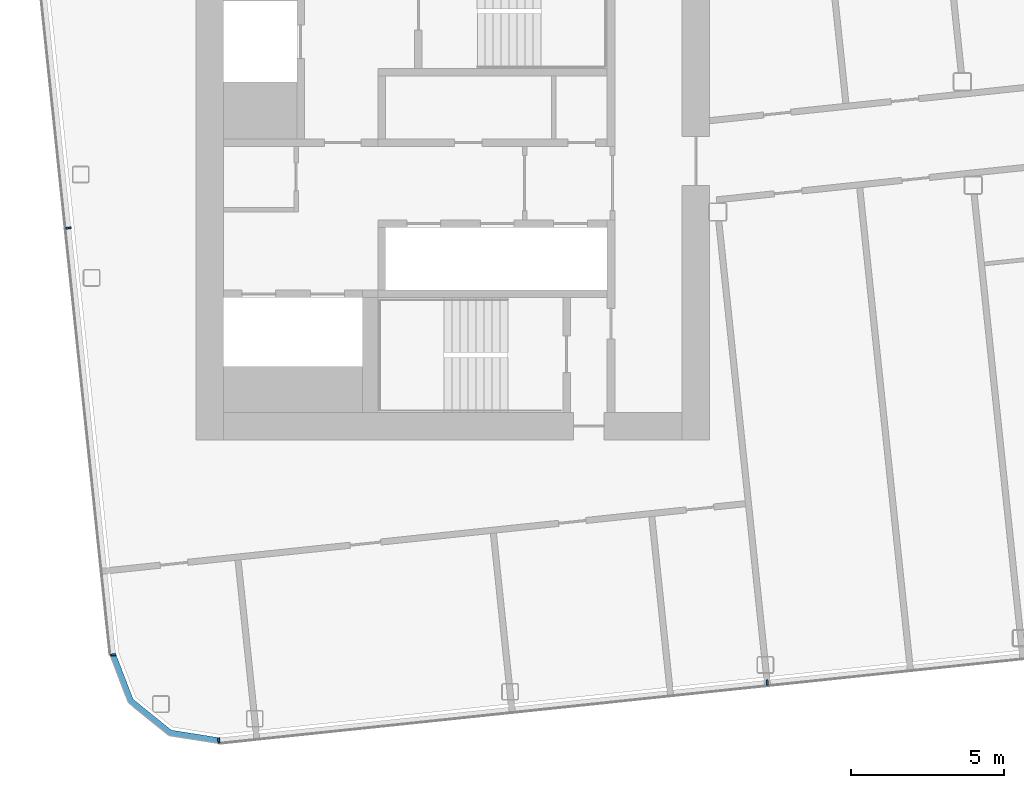
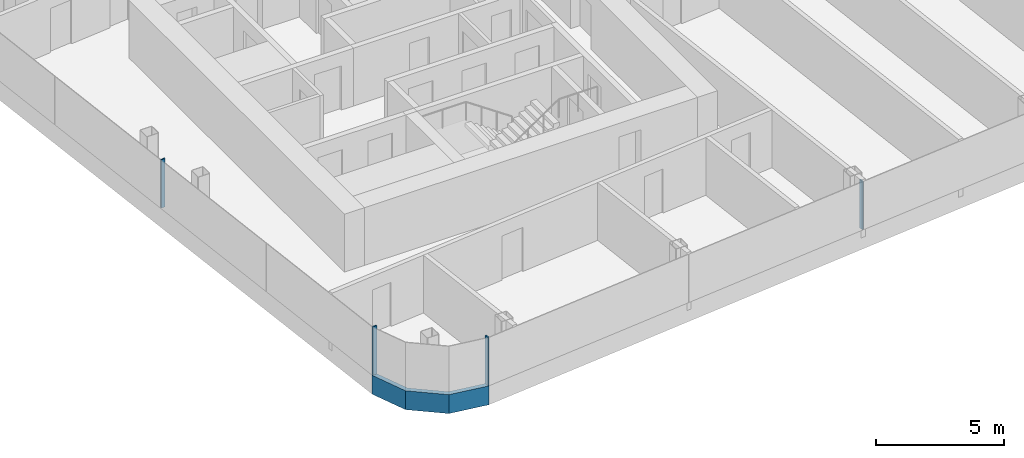
# One storey, part 3 of 27: 5 members, 3 elements without a shape of their own.
"""IFC4 building model written with IfcOpenShell, lengths in metres."""

from ifc_helpers import new_model, si_unit, direction, frame, origin, origin_2d, place, context, subcontext, project, spatial, polyline, rectangle, outline, extrude, material, layer, layer_set, material_profile, profile_set, type_object, element, aggregate, save


model = new_model("IFC4")

# Units and contexts
model_context = context("Model", 3, precision=1e-05, world=origin(), true_north=direction((0.0, 1.0)))
body_context = subcontext(model_context, "Body", "Model", "MODEL_VIEW")
ifc_project = project(units=[si_unit("LENGTHUNIT", "METRE"), si_unit("AREAUNIT", "SQUARE_METRE"), si_unit("VOLUMEUNIT", "CUBIC_METRE"), si_unit("PLANEANGLEUNIT", "RADIAN"), si_unit("MASSUNIT", "GRAM", prefix="KILO")], contexts=[model_context])

# Site, building, storey
site_placement = place(None, origin())
site = spatial("IfcSite", under=ifc_project, at=site_placement, CompositionType="ELEMENT")
building_placement = place(site_placement, origin())
building = spatial("IfcBuilding", under=site, at=building_placement, Name="Hakoniwa Tower and Hamabe Station Hall", CompositionType="ELEMENT")
storey_placement = place(building_placement, frame((0.0, 0.0, 242.199951171875)))
storey = spatial("IfcBuildingStorey", under=building, at=storey_placement, Name="L68", CompositionType="ELEMENT", Elevation=242.199951171875)

# Curtain wall, member
ifc_material_1 = material(Name="Dark low-e laminated glass", Category="glass")
ifc_layer = layer(ifc_material_1, 0.199951171875)
ifc_layer_set = layer_set([ifc_layer], Name="CW-1 UNITISED GUEST")
curtain_wall_type = type_object("IfcCurtainWallType", Name="CW-1 UNITISED GUEST", PredefinedType="NOTDEFINED", material=ifc_layer_set)
curtain_wall_1_placement = place(storey_placement, origin())
curtain_wall_1 = element("IfcCurtainWall", 1, at=curtain_wall_1_placement, inside=storey, type_object=curtain_wall_type, Name="CW-1 curtain wall", PredefinedType="NOTDEFINED")
ifc_material_2 = material(Name="Aluminium 6063-T5 black anodised", Category="aluminium")
ifc_material_profile_1 = material_profile(ifc_material_2, rectangle(XDim=0.199951171875, YDim=0.89990234375, at=origin_2d()), Name="CW SLAB-EDGE BAND 900X200")
ifc_profile_set_1 = profile_set([ifc_material_profile_1], Name="Aluminium 6063-T5 black anodised")
member_type_1 = type_object("IfcMemberType", Name="CW SLAB-EDGE BAND 900X200", PredefinedType="USERDEFINED", material=ifc_profile_set_1)
member_1_placement = place(storey_placement, frame((0.0, 0.0, -0.550048828125)))
member_1 = element("IfcMember", 2, at=member_1_placement, type_object=member_type_1, Name="CW-1 transom", ObjectType="TRANSOM", PredefinedType="USERDEFINED", context=body_context, shape_type="SweptSolid", body=[
    extrude(outline(polyline([(-36.423828125, -15.445068359375), (-35.82421875, -17.0068359375), (-34.492431640625, -18.085205078125), (-32.84033203125, -18.346923828125), (-32.80908203125, -18.1494140625), (-34.408203125, -17.89599609375), (-35.65673828125, -16.885009765625), (-36.237060546875, -15.37353515625), (-36.423828125, -15.445068359375)])), origin(), (0.0, 0.0, 1.0), 0.900146484375),
])
aggregate(curtain_wall_1, [member_1])

# Curtain wall, members
curtain_wall_2_placement = place(storey_placement, origin())
curtain_wall_2 = element("IfcCurtainWall", 3, at=curtain_wall_2_placement, inside=storey, type_object=curtain_wall_type, Name="CW-1 curtain wall", PredefinedType="NOTDEFINED")
ifc_material_3 = material(Name="Aluminium 6063-T5 black anodised", Category="aluminium")
ifc_material_profile_2 = material_profile(ifc_material_3, rectangle(XDim=0.06005859375, YDim=0.179931640625, at=origin_2d()), Name="CW-1 MULLION 60X180")
ifc_profile_set_2 = profile_set([ifc_material_profile_2], Name="Aluminium 6063-T5 black anodised")
member_type_2 = type_object("IfcMemberType", Name="CW-1 MULLION 60X180", PredefinedType="MULLION", material=ifc_profile_set_2)
member_2_placement = place(storey_placement, frame((-37.77392578125, -1.47021484375, 0.35009765625), z_axis=(0.0, 0.0, 1.0), x_axis=(0.104528468631, -0.994521894805, 0.0)))
member_2 = element("IfcMember", 4, at=member_2_placement, type_object=member_type_2, Name="CW-1 mullion", PredefinedType="MULLION", context=body_context, shape_type="SweptSolid", body=[
    extrude(rectangle(XDim=0.06005859375, YDim=0.179931640625, at=origin_2d()), origin(), (0.0, 0.0, 1.0), 2.300048828125),
])
member_3_placement = place(storey_placement, frame((-36.306396484375, -15.432861328125, 0.35009765625), z_axis=(0.0, 0.0, 1.0), x_axis=(0.104528468631, -0.994521894805, 0.0)))
member_3 = element("IfcMember", 5, at=member_3_placement, type_object=member_type_2, Name="CW-1 mullion", PredefinedType="MULLION", context=body_context, shape_type="SweptSolid", body=[
    extrude(rectangle(XDim=0.06005859375, YDim=0.179931640625, at=origin_2d()), origin(), (0.0, 0.0, 1.0), 2.300048828125),
])
aggregate(curtain_wall_2, [member_2, member_3])

curtain_wall_3_placement = place(storey_placement, origin())
curtain_wall_3 = element("IfcCurtainWall", 6, at=curtain_wall_3_placement, inside=storey, type_object=curtain_wall_type, Name="CW-1 curtain wall", PredefinedType="NOTDEFINED")
member_4_placement = place(storey_placement, frame((-32.8525390625, -18.2294921875, 0.35009765625), z_axis=(0.0, 0.0, 1.0), x_axis=(0.994521895272, 0.104528464188, 0.0)))
member_4 = element("IfcMember", 7, at=member_4_placement, type_object=member_type_2, Name="CW-1 mullion", PredefinedType="MULLION", context=body_context, shape_type="SweptSolid", body=[
    extrude(rectangle(XDim=0.06005859375, YDim=0.179931640625, at=origin_2d()), origin(), (0.0, 0.0, 1.0), 2.300048828125),
])
member_5_placement = place(storey_placement, frame((-14.911865234375, -16.343994140625, 0.35009765625), z_axis=(0.0, 0.0, 1.0), x_axis=(0.994521895272, 0.104528464188, 0.0)))
member_5 = element("IfcMember", 8, at=member_5_placement, type_object=member_type_2, Name="CW-1 mullion", PredefinedType="MULLION", context=body_context, shape_type="SweptSolid", body=[
    extrude(rectangle(XDim=0.06005859375, YDim=0.179931640625, at=origin_2d()), origin(), (0.0, 0.0, 1.0), 2.300048828125),
])
aggregate(curtain_wall_3, [member_4, member_5])

save(model, "model.ifc")
